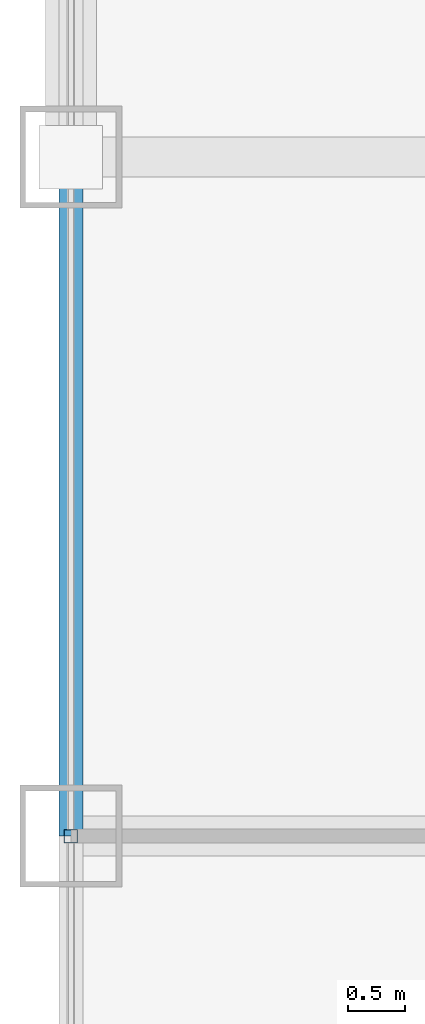
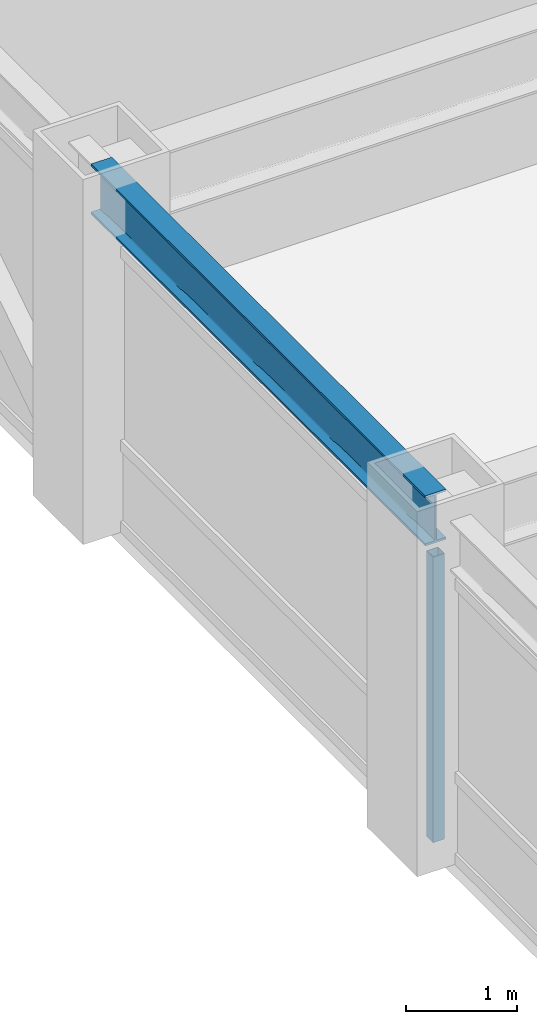
# One storey, part 6 of 27: 1 beam, 1 member, 1 element without a shape of its own.
"""IFC4 building model written with IfcOpenShell, lengths in metres."""

from ifc_helpers import new_model, si_unit, direction, frame, origin, origin_2d, place, context, subcontext, project, spatial, hollow_rectangle, i_section, extrude, source, transform, mapped, material, material_profile, profile_set, type_object, element, aggregate, save


model = new_model("IFC4")

# Units and contexts
model_context = context("Model", 3, precision=1e-05, world=origin(), true_north=direction((0.0, 1.0)))
body_context = subcontext(model_context, "Body", "Model", "MODEL_VIEW")
ifc_project = project(units=[si_unit("LENGTHUNIT", "METRE"), si_unit("AREAUNIT", "SQUARE_METRE"), si_unit("VOLUMEUNIT", "CUBIC_METRE"), si_unit("PLANEANGLEUNIT", "RADIAN"), si_unit("MASSUNIT", "GRAM", prefix="KILO")], contexts=[model_context])

# Site, building, storey
site_placement = place(None, origin())
site = spatial("IfcSite", under=ifc_project, at=site_placement, CompositionType="ELEMENT")
building_placement = place(site_placement, origin())
building = spatial("IfcBuilding", under=site, at=building_placement, Name="Khorayat Bourse Tower", CompositionType="ELEMENT")
storey_placement = place(building_placement, frame((0.0, 0.0, 317.5)))
storey = spatial("IfcBuildingStorey", under=building, at=storey_placement, Name="L75", CompositionType="ELEMENT", Elevation=317.5)

# Beam
ifc_material_1 = material(Name="Steel ASTM A992 Grade 50", Category="steel")
ifc_material_profile_1 = material_profile(ifc_material_1, i_section(OverallWidth=0.214111328125, OverallDepth=0.549072265625, WebThickness=0.0146484375, FlangeThickness=0.023681640625, FilletRadius=0.013916015625, at=origin_2d()), Name="W530X138")
ifc_profile_set_1 = profile_set([ifc_material_profile_1], Name="Steel ASTM A992 Grade 50")
beam_type = type_object("IfcBeamType", Name="BM-SPAN-530", PredefinedType="SPANDREL", material=ifc_profile_set_1)
shared_shape_1 = source(origin(), body_context, "Body", "SweptSolid", [
    extrude(i_section(OverallWidth=0.214111328125, OverallDepth=0.549072265625, WebThickness=0.0146484375, FlangeThickness=0.023681640625, FilletRadius=0.013916015625, at=origin_2d()), origin(), (0.0, 0.0, 1.0), 6.0),
])
beam_placement = place(storey_placement, frame((-28.0, 0.0, 3.505615234375), z_axis=(0.0, 1.0, 0.0), x_axis=(-1.0, 0.0, 0.0)))
element("IfcBeam", 1, at=beam_placement, inside=storey, type_object=beam_type, Name="L75 BM-SPAN-530 BM-L75-SPN-057", PredefinedType="SPANDREL", context=body_context, shape_type="MappedRepresentation", body=[
    mapped(shared_shape_1, transform((0.0, 0.0, 0.0), scale=1.0)),
])

# Curtain wall, member
ifc_material_2 = material(Name="Aluminium EN AW-6063 T6", Category="aluminium")
curtain_wall_type = type_object("IfcCurtainWallType", Name="CW-SYS-04", PredefinedType="NOTDEFINED", material=ifc_material_2)
curtain_wall_placement = place(storey_placement, origin())
curtain_wall = element("IfcCurtainWall", 2, at=curtain_wall_placement, inside=storey, type_object=curtain_wall_type, Name="L75 Curtain Wall CW-L75-W1", PredefinedType="NOTDEFINED")
ifc_material_profile_2 = material_profile(ifc_material_2, hollow_rectangle(XDim=0.1201171875, YDim=0.1201171875, WallThickness=0.0048828125, at=origin_2d()), Name="ALU 120x120x5")
ifc_profile_set_2 = profile_set([ifc_material_profile_2], Name="Aluminium EN AW-6063 T6")
member_type = type_object("IfcMemberType", Name="CWM-VERT-120", PredefinedType="MULLION", material=ifc_profile_set_2)
shared_shape_2 = source(origin(), body_context, "Body", "SweptSolid", [
    extrude(hollow_rectangle(XDim=0.1201171875, YDim=0.1201171875, WallThickness=0.0048828125, at=origin_2d()), origin(), (0.0, 0.0, 1.0), 3.1298828125),
])
member_placement = place(storey_placement, frame((-28.0, 0.0, 0.0), z_axis=(0.0, 0.0, 1.0), x_axis=(-1.0, 0.0, 0.0)))
member = element("IfcMember", 3, at=member_placement, type_object=member_type, Name="CW-L75-W1 Vertical Mullion 2", PredefinedType="MULLION", context=body_context, shape_type="MappedRepresentation", body=[
    mapped(shared_shape_2, transform((0.0, 0.0, 0.0), scale=1.0)),
])
aggregate(curtain_wall, [member])

save(model, "model.ifc")
